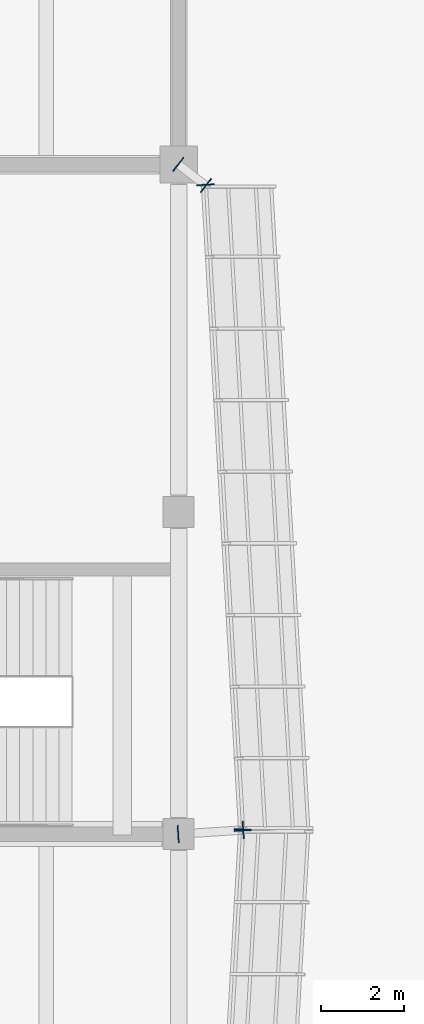
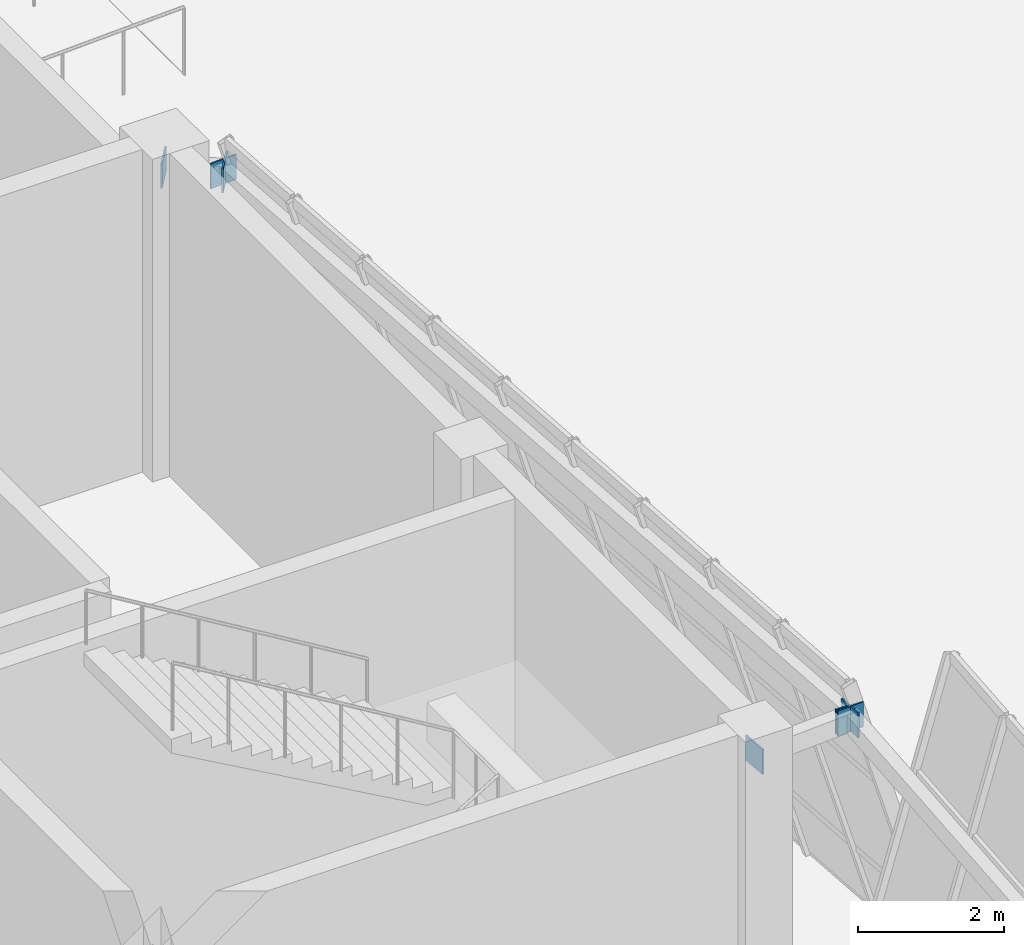
# One storey, part 58 of 78: 7 plates.
"""IFC4 building model written with IfcOpenShell, lengths in metres."""

from ifc_helpers import new_model, si_unit, direction, frame, origin, origin_2d, place, context, subcontext, project, spatial, rectangle, extrude, material, layer, layer_set, type_object, element, save


model = new_model("IFC4")

# Units and contexts
model_context = context("Model", 3, precision=1e-05, world=origin(), true_north=direction((0.0, 1.0)))
body_context = subcontext(model_context, "Body", "Model", "MODEL_VIEW")
ifc_project = project(units=[si_unit("LENGTHUNIT", "METRE"), si_unit("AREAUNIT", "SQUARE_METRE"), si_unit("VOLUMEUNIT", "CUBIC_METRE"), si_unit("PLANEANGLEUNIT", "RADIAN"), si_unit("MASSUNIT", "GRAM", prefix="KILO")], contexts=[model_context])

# Site, building, storey
site_placement = place(None, origin())
site = spatial("IfcSite", under=ifc_project, at=site_placement, CompositionType="ELEMENT")
building_placement = place(site_placement, origin())
building = spatial("IfcBuilding", under=site, at=building_placement, Name="Pellamere Symphony Hall", CompositionType="ELEMENT")
storey_placement = place(building_placement, origin())
storey = spatial("IfcBuildingStorey", under=building, at=storey_placement, Name="L00", CompositionType="ELEMENT", Elevation=0.0)

# Plates
ifc_material = material(Name="Steel CSA G40.21 350W", Category="steel")
ifc_layer = layer(ifc_material, 0.02490234375, Name="Steel CSA G40.21 350W")
ifc_layer_set = layer_set([ifc_layer], Name="Steel CSA G40.21 350W")
plate_type = type_object("IfcPlateType", Name="Steel Connection Plate KP-01 420x420x25", PredefinedType="SHEET", material=ifc_layer_set)
for number, where, z_axis, x_axis, name in (
    (1, (120.3505859375, 77.511962890625, 4.630126953125), (0.0, 0.0, 1.0), (0.057215536424, 0.998361849427, 0.0), "Crystal Spandrel End Cap Plate CW-CR08-2 (L00)"),
    (2, (118.7880859375, 77.399169921875, 4.630126953125), (0.0, 0.0, 1.0), (0.997926866086, 0.064358138139, 0.0), "Outrigger End Cap Plate 028.1 (L00)"),
    (3, (120.362060546875, 77.500732421875, 4.630126953125), (0.0, 0.0, 1.0), (0.997926866086, 0.064358138139, 0.0), "Outrigger End Cap Plate 028.2 (L00)"),
    (4, (120.3505859375, 77.488037109375, 4.630126953125), (0.0, 0.0, 1.0), (-0.05756402696, 0.998341816614, 0.0), "Crystal Spandrel End Cap Plate CW-CR09-1 (L00)"),
    (5, (119.44921875, 93.112060546875, 4.630126953125), (0.0, 0.0, 1.0), (-0.05756402696, 0.998341816614, 0.0), "Crystal Spandrel End Cap Plate CW-CR09-2 (L00)"),
    (6, (118.79052734375, 93.607421875, 4.630126953125), (0.0, 0.0, 1.0), (0.792609005996, -0.609730238396, 0.0), "Outrigger End Cap Plate 039.1 (L00)"),
    (7, (119.45947265625, 93.0927734375, 4.630126953125), (0.0, 0.0, 1.0), (0.792609005996, -0.609730238396, 0.0), "Outrigger End Cap Plate 039.2 (L00)"),
):
    element("IfcPlate", number, at=place(storey_placement, frame(where, z_axis=z_axis, x_axis=x_axis)), inside=storey, type_object=plate_type, Name=name, PredefinedType="SHEET", context=body_context, shape_type="SweptSolid", body=[
        extrude(rectangle(XDim=0.02490234375, YDim=0.419921875, at=origin_2d()), origin(), (0.0, 0.0, 1.0), 0.419921875),
    ])

save(model, "model.ifc")
